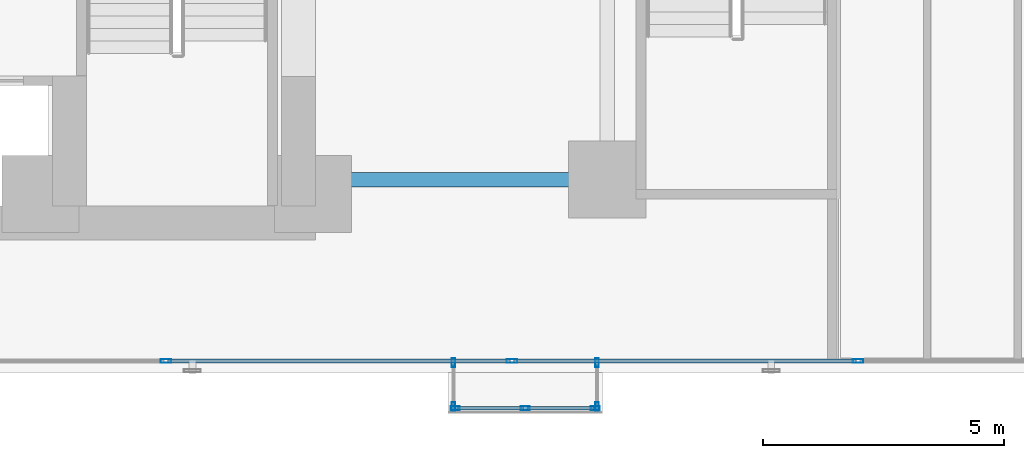
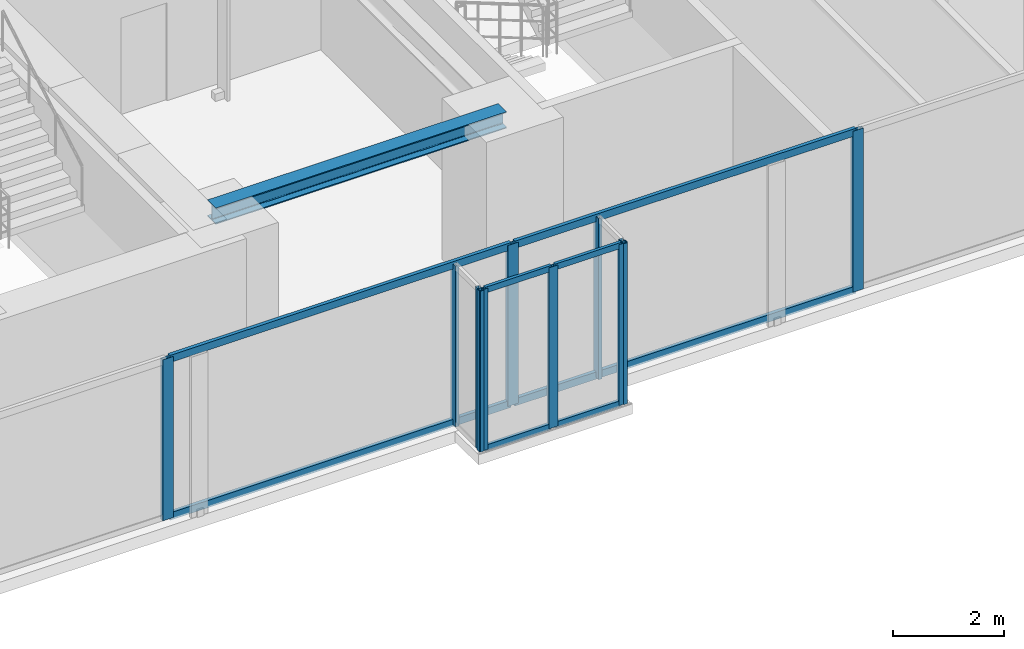
# One storey, part 4 of 28: 18 members, 1 beam, 4 elements without a shape of their own.
"""IFC4 building model written with IfcOpenShell, lengths in metres."""

from ifc_helpers import new_model, si_unit, direction, frame, origin, origin_with_axes, origin_2d, place, context, subcontext, project, spatial, hollow_rectangle, i_section, extrude, source, transform, mapped, material, layer, layer_set, material_profile, profile_set, type_object, element, aggregate, save


model = new_model("IFC4")

# Units and contexts
model_context = context("Model", 3, precision=1e-05, world=origin(), true_north=direction((0.0, 1.0)))
body_context = subcontext(model_context, "Body", "Model", "MODEL_VIEW")
ifc_project = project(units=[si_unit("LENGTHUNIT", "METRE"), si_unit("AREAUNIT", "SQUARE_METRE"), si_unit("VOLUMEUNIT", "CUBIC_METRE"), si_unit("PLANEANGLEUNIT", "RADIAN"), si_unit("MASSUNIT", "GRAM", prefix="KILO")], contexts=[model_context])

# Site, building, storey
site_placement = place(None, origin())
site = spatial("IfcSite", under=ifc_project, at=site_placement, CompositionType="ELEMENT")
building_placement = place(site_placement, origin())
building = spatial("IfcBuilding", under=site, at=building_placement, Name="Kolvaren Waterfront Exchange", CompositionType="ELEMENT")
storey_placement = place(building_placement, frame((0.0, 0.0, 75.199951171875)))
storey = spatial("IfcBuildingStorey", under=building, at=storey_placement, Name="L19", CompositionType="ELEMENT", Elevation=75.199951171875)

# Beam
ifc_material_1 = material(Name="Steel S355", Category="steel")
ifc_material_profile_1 = material_profile(ifc_material_1, i_section(OverallWidth=0.300048828125, OverallDepth=0.360107421875, WebThickness=0.012451171875, FlangeThickness=0.0224609375, FilletRadius=0.027099609375, at=origin_2d()), Name="HEB360")
ifc_profile_set_1 = profile_set([ifc_material_profile_1], Name="Steel S355")
beam_type = type_object("IfcBeamType", Name="STR-BM-HEB360", PredefinedType="SPANDREL", material=ifc_profile_set_1)
beam_placement = place(storey_placement, frame((21.14990234375, 5.199951171875, 3.360107421875), z_axis=(1.0, 0.0, 0.0), x_axis=(0.0, 1.0, 0.0)))
element("IfcBeam", 1, at=beam_placement, inside=storey, type_object=beam_type, Name="L19 east-arm spandrel S1", PredefinedType="SPANDREL", context=body_context, shape_type="SweptSolid", body=[
    extrude(i_section(OverallWidth=0.300048828125, OverallDepth=0.360107421875, WebThickness=0.012451171875, FlangeThickness=0.0224609375, FilletRadius=0.027099609375, at=origin_2d()), origin(), (0.0, 0.0, 1.0), 6.050048828125),
])

# Curtain wall, members
ifc_material_2 = material(Name="Anodised bronze aluminium 6063-T6", Category="aluminium")
ifc_layer_1 = layer(ifc_material_2, 0.219970703125, Name="Anodised bronze aluminium 6063-T6")
ifc_layer_set_1 = layer_set([ifc_layer_1], Name="Anodised bronze aluminium 6063-T6")
curtain_wall_type_1 = type_object("IfcCurtainWallType", Name="ARC-CW-SYS1", PredefinedType="USERDEFINED", material=ifc_layer_set_1)
curtain_wall_1_placement = place(storey_placement, origin())
curtain_wall_1 = element("IfcCurtainWall", 2, at=curtain_wall_1_placement, inside=storey, type_object=curtain_wall_type_1, Name="L19 stick curtain wall CW1 (CW-L19-S)", ObjectType="STICK CURTAIN WALL", PredefinedType="USERDEFINED")
ifc_material_3 = material(Name="Anodised aluminium 6063-T6", Category="aluminium")
ifc_material_profile_2 = material_profile(ifc_material_3, hollow_rectangle(XDim=0.074951171875, YDim=0.159912109375, WallThickness=0.00439453125, at=origin_2d()), Name="ALU-TRN-160x75x4.5")
ifc_profile_set_2 = profile_set([ifc_material_profile_2], Name="Anodised aluminium 6063-T6")
member_type_1 = type_object("IfcMemberType", Name="ARC-CWT-160", PredefinedType="USERDEFINED", material=ifc_profile_set_2)
shared_shape_1 = source(origin_with_axes(), body_context, "Body", "SweptSolid", [
    extrude(hollow_rectangle(XDim=0.074951171875, YDim=0.159912109375, WallThickness=0.00439453125, at=origin_2d()), origin(), (0.0, 0.0, 1.0), 7.094970703125),
])
member_1_placement = place(storey_placement, frame((18.090087890625, 1.43994140625, 0.03759765625), z_axis=(1.0, 0.0, 0.0), x_axis=(0.0, 1.0, 0.0)))
member_1 = element("IfcMember", 3, at=member_1_placement, type_object=member_type_1, Name="CW1 transom 3.1", ObjectType="TRANSOM", PredefinedType="USERDEFINED", context=body_context, shape_type="MappedRepresentation", body=[
    mapped(shared_shape_1, transform((0.0, 0.0, 0.0), x_axis=(1.0, 0.0, 0.0), y_axis=(0.0, 1.0, 0.0), z_axis=(0.0, 0.0, 1.0), scale=1.0)),
])
member_2_placement = place(storey_placement, frame((18.090087890625, 1.43994140625, 3.50244140625), z_axis=(1.0, 0.0, 0.0), x_axis=(0.0, 1.0, 0.0)))
member_2 = element("IfcMember", 4, at=member_2_placement, type_object=member_type_1, Name="CW1 transom 3.2", ObjectType="TRANSOM", PredefinedType="USERDEFINED", context=body_context, shape_type="MappedRepresentation", body=[
    mapped(shared_shape_1, transform((0.0, 0.0, 0.0), x_axis=(1.0, 0.0, 0.0), y_axis=(0.0, 1.0, 0.0), z_axis=(0.0, 0.0, 1.0), scale=1.0)),
])
shared_shape_2 = source(origin_with_axes(), body_context, "Body", "SweptSolid", [
    extrude(hollow_rectangle(XDim=0.074951171875, YDim=0.159912109375, WallThickness=0.00439453125, at=origin_2d()), origin(), (0.0, 0.0, 1.0), 7.09521484375),
])
member_3_placement = place(storey_placement, frame((25.264892578125, 1.43994140625, 0.03759765625), z_axis=(1.0, 0.0, 0.0), x_axis=(0.0, 1.0, 0.0)))
member_3 = element("IfcMember", 5, at=member_3_placement, type_object=member_type_1, Name="CW1 transom 4.1", ObjectType="TRANSOM", PredefinedType="USERDEFINED", context=body_context, shape_type="MappedRepresentation", body=[
    mapped(shared_shape_2, transform((0.0, 0.0, 0.0), x_axis=(1.0, 0.0, 0.0), y_axis=(0.0, 1.0, 0.0), z_axis=(0.0, 0.0, 1.0), scale=1.0)),
])
member_4_placement = place(storey_placement, frame((25.264892578125, 1.43994140625, 3.50244140625), z_axis=(1.0, 0.0, 0.0), x_axis=(0.0, 1.0, 0.0)))
member_4 = element("IfcMember", 6, at=member_4_placement, type_object=member_type_1, Name="CW1 transom 4.2", ObjectType="TRANSOM", PredefinedType="USERDEFINED", context=body_context, shape_type="MappedRepresentation", body=[
    mapped(shared_shape_2, transform((0.0, 0.0, 0.0), x_axis=(1.0, 0.0, 0.0), y_axis=(0.0, 1.0, 0.0), z_axis=(0.0, 0.0, 1.0), scale=1.0)),
])

ifc_layer_2 = layer(ifc_material_2, 0.219970703125, Name="Anodised bronze aluminium 6063-T6")
ifc_layer_set_2 = layer_set([ifc_layer_2], Name="Anodised bronze aluminium 6063-T6")
curtain_wall_type_2 = type_object("IfcCurtainWallType", Name="ARC-CW-SYS3", PredefinedType="USERDEFINED", material=ifc_layer_set_2)
curtain_wall_2_placement = place(storey_placement, origin())
curtain_wall_2 = element("IfcCurtainWall", 7, at=curtain_wall_2_placement, inside=storey, type_object=curtain_wall_type_2, Name="L19 stick curtain wall CW3 (CW-L19-BOX-W)", ObjectType="STICK CURTAIN WALL", PredefinedType="USERDEFINED")
ifc_material_profile_3 = material_profile(ifc_material_2, hollow_rectangle(XDim=0.074951171875, YDim=0.179931640625, WallThickness=0.00439453125, at=origin_2d()), Name="ALU-MUL-180x75x4.5")
ifc_profile_set_3 = profile_set([ifc_material_profile_3], Name="Anodised bronze aluminium 6063-T6")
member_type_2 = type_object("IfcMemberType", Name="ARC-CWM-180", PredefinedType="MULLION", material=ifc_profile_set_3)
shared_shape_3 = source(origin_with_axes(), body_context, "Body", "SweptSolid", [
    extrude(hollow_rectangle(XDim=0.074951171875, YDim=0.179931640625, WallThickness=0.00439453125, at=origin_2d()), origin(), (0.0, 0.0, 1.0), 3.5400390625),
])
member_5_placement = place(storey_placement, frame((24.010009765625, 1.402587890625, 0.0), z_axis=(0.0, 0.0, 1.0), x_axis=(1.0, 0.0, 0.0)))
member_5 = element("IfcMember", 8, at=member_5_placement, type_object=member_type_2, Name="CW3 mullion 1", PredefinedType="MULLION", context=body_context, shape_type="MappedRepresentation", body=[
    mapped(shared_shape_3, transform((0.0, 0.0, 0.0), x_axis=(1.0, 0.0, 0.0), y_axis=(0.0, 1.0, 0.0), z_axis=(0.0, 0.0, 1.0), scale=1.0)),
])
member_6_placement = place(storey_placement, frame((24.010009765625, 0.49755859375, 0.0), z_axis=(0.0, 0.0, 1.0), x_axis=(1.0, 0.0, 0.0)))
member_6 = element("IfcMember", 9, at=member_6_placement, type_object=member_type_2, Name="CW3 mullion 2", PredefinedType="MULLION", context=body_context, shape_type="MappedRepresentation", body=[
    mapped(shared_shape_3, transform((0.0, 0.0, 0.0), x_axis=(1.0, 0.0, 0.0), y_axis=(0.0, 1.0, 0.0), z_axis=(0.0, 0.0, 1.0), scale=1.0)),
])
aggregate(curtain_wall_2, [member_5, member_6])

curtain_wall_3_placement = place(storey_placement, origin())
curtain_wall_3 = element("IfcCurtainWall", 10, at=curtain_wall_3_placement, inside=storey, type_object=curtain_wall_type_2, Name="L19 stick curtain wall CW3 (CW-L19-BOX)", ObjectType="STICK CURTAIN WALL", PredefinedType="USERDEFINED")
member_7_placement = place(storey_placement, frame((24.047607421875, 0.4599609375, 0.0), z_axis=(0.0, 0.0, 1.0), x_axis=(0.0, 1.0, 0.0)))
member_7 = element("IfcMember", 11, at=member_7_placement, type_object=member_type_2, Name="CW3 mullion 1", PredefinedType="MULLION", context=body_context, shape_type="MappedRepresentation", body=[
    mapped(shared_shape_3, transform((0.0, 0.0, 0.0), x_axis=(1.0, 0.0, 0.0), y_axis=(0.0, 1.0, 0.0), z_axis=(0.0, 0.0, 1.0), scale=1.0)),
])
member_8_placement = place(storey_placement, frame((25.5, 0.4599609375, 0.0), z_axis=(0.0, 0.0, 1.0), x_axis=(0.0, 1.0, 0.0)))
member_8 = element("IfcMember", 12, at=member_8_placement, type_object=member_type_2, Name="CW3 mullion 2", PredefinedType="MULLION", context=body_context, shape_type="MappedRepresentation", body=[
    mapped(shared_shape_3, transform((0.0, 0.0, 0.0), x_axis=(1.0, 0.0, 0.0), y_axis=(0.0, 1.0, 0.0), z_axis=(0.0, 0.0, 1.0), scale=1.0)),
])
member_9_placement = place(storey_placement, frame((26.952392578125, 0.4599609375, 0.0), z_axis=(0.0, 0.0, 1.0), x_axis=(0.0, 1.0, 0.0)))
member_9 = element("IfcMember", 13, at=member_9_placement, type_object=member_type_2, Name="CW3 mullion 3", PredefinedType="MULLION", context=body_context, shape_type="MappedRepresentation", body=[
    mapped(shared_shape_3, transform((0.0, 0.0, 0.0), x_axis=(1.0, 0.0, 0.0), y_axis=(0.0, 1.0, 0.0), z_axis=(0.0, 0.0, 1.0), scale=1.0)),
])

curtain_wall_4_placement = place(storey_placement, origin())
curtain_wall_4 = element("IfcCurtainWall", 14, at=curtain_wall_4_placement, inside=storey, type_object=curtain_wall_type_2, Name="L19 stick curtain wall CW3 (CW-L19-BOX-E)", ObjectType="STICK CURTAIN WALL", PredefinedType="USERDEFINED")
member_10_placement = place(storey_placement, frame((26.989990234375, 0.49755859375, 0.0), z_axis=(0.0, 0.0, 1.0), x_axis=(-1.0, 0.0, 0.0)))
member_10 = element("IfcMember", 15, at=member_10_placement, type_object=member_type_2, Name="CW3 mullion 1", PredefinedType="MULLION", context=body_context, shape_type="MappedRepresentation", body=[
    mapped(shared_shape_3, transform((0.0, 0.0, 0.0), x_axis=(1.0, 0.0, 0.0), y_axis=(0.0, 1.0, 0.0), z_axis=(0.0, 0.0, 1.0), scale=1.0)),
])
member_11_placement = place(storey_placement, frame((26.989990234375, 1.402587890625, 0.0), z_axis=(0.0, 0.0, 1.0), x_axis=(-1.0, 0.0, 0.0)))
member_11 = element("IfcMember", 16, at=member_11_placement, type_object=member_type_2, Name="CW3 mullion 2", PredefinedType="MULLION", context=body_context, shape_type="MappedRepresentation", body=[
    mapped(shared_shape_3, transform((0.0, 0.0, 0.0), x_axis=(1.0, 0.0, 0.0), y_axis=(0.0, 1.0, 0.0), z_axis=(0.0, 0.0, 1.0), scale=1.0)),
])
aggregate(curtain_wall_4, [member_10, member_11])

# Member
ifc_material_profile_4 = material_profile(ifc_material_2, hollow_rectangle(XDim=0.06494140625, YDim=0.1298828125, WallThickness=0.00390625, at=origin_2d()), Name="ALU-TRN-130x65x4")
ifc_profile_set_4 = profile_set([ifc_material_profile_4], Name="Anodised bronze aluminium 6063-T6")
member_type_3 = type_object("IfcMemberType", Name="ARC-CWT-130", PredefinedType="USERDEFINED", material=ifc_profile_set_4)
shared_shape_4 = source(origin_with_axes(), body_context, "Body", "SweptSolid", [
    extrude(hollow_rectangle(XDim=0.06494140625, YDim=0.1298828125, WallThickness=0.00390625, at=origin_2d()), origin(), (0.0, 0.0, 1.0), 1.37744140625),
])
member_12_placement = place(storey_placement, frame((24.0849609375, 0.4599609375, 0.032470703125), z_axis=(1.0, 0.0, 0.0), x_axis=(0.0, 1.0, 0.0)))
member_12 = element("IfcMember", 17, at=member_12_placement, type_object=member_type_3, Name="CW3 transom 1.1", ObjectType="TRANSOM", PredefinedType="USERDEFINED", context=body_context, shape_type="MappedRepresentation", body=[
    mapped(shared_shape_4, transform((0.0, 0.0, 0.0), x_axis=(1.0, 0.0, 0.0), y_axis=(0.0, 1.0, 0.0), z_axis=(0.0, 0.0, 1.0), scale=1.0)),
])

member_13_placement = place(storey_placement, frame((24.0849609375, 0.4599609375, 3.507568359375), z_axis=(1.0, 0.0, 0.0), x_axis=(0.0, 1.0, 0.0)))
member_13 = element("IfcMember", 18, at=member_13_placement, type_object=member_type_3, Name="CW3 transom 1.2", ObjectType="TRANSOM", PredefinedType="USERDEFINED", context=body_context, shape_type="MappedRepresentation", body=[
    mapped(shared_shape_4, transform((0.0, 0.0, 0.0), x_axis=(1.0, 0.0, 0.0), y_axis=(0.0, 1.0, 0.0), z_axis=(0.0, 0.0, 1.0), scale=1.0)),
])

member_14_placement = place(storey_placement, frame((25.53759765625, 0.4599609375, 0.032470703125), z_axis=(1.0, 0.0, 0.0), x_axis=(0.0, 1.0, 0.0)))
member_14 = element("IfcMember", 19, at=member_14_placement, type_object=member_type_3, Name="CW3 transom 2.1", ObjectType="TRANSOM", PredefinedType="USERDEFINED", context=body_context, shape_type="MappedRepresentation", body=[
    mapped(shared_shape_4, transform((0.0, 0.0, 0.0), x_axis=(1.0, 0.0, 0.0), y_axis=(0.0, 1.0, 0.0), z_axis=(0.0, 0.0, 1.0), scale=1.0)),
])

member_15_placement = place(storey_placement, frame((25.53759765625, 0.4599609375, 3.507568359375), z_axis=(1.0, 0.0, 0.0), x_axis=(0.0, 1.0, 0.0)))
member_15 = element("IfcMember", 20, at=member_15_placement, type_object=member_type_3, Name="CW3 transom 2.2", ObjectType="TRANSOM", PredefinedType="USERDEFINED", context=body_context, shape_type="MappedRepresentation", body=[
    mapped(shared_shape_4, transform((0.0, 0.0, 0.0), x_axis=(1.0, 0.0, 0.0), y_axis=(0.0, 1.0, 0.0), z_axis=(0.0, 0.0, 1.0), scale=1.0)),
])

aggregate(curtain_wall_3, [member_7, member_8, member_9, member_12, member_13, member_14, member_15])

ifc_material_profile_5 = material_profile(ifc_material_3, hollow_rectangle(XDim=0.080078125, YDim=0.219970703125, WallThickness=0.0048828125, at=origin_2d()), Name="ALU-MUL-220x80x5")
ifc_profile_set_5 = profile_set([ifc_material_profile_5], Name="Anodised aluminium 6063-T6")
member_type_4 = type_object("IfcMemberType", Name="ARC-CWM-220", PredefinedType="MULLION", material=ifc_profile_set_5)
shared_shape_5 = source(origin_with_axes(), body_context, "Body", "SweptSolid", [
    extrude(hollow_rectangle(XDim=0.080078125, YDim=0.219970703125, WallThickness=0.0048828125, at=origin_2d()), origin(), (0.0, 0.0, 1.0), 3.5400390625),
])
member_16_placement = place(storey_placement, frame((18.050048828125, 1.43994140625, 0.0), z_axis=(0.0, 0.0, 1.0), x_axis=(0.0, 1.0, 0.0)))
member_16 = element("IfcMember", 21, at=member_16_placement, type_object=member_type_4, Name="CW1 mullion 3", PredefinedType="MULLION", context=body_context, shape_type="MappedRepresentation", body=[
    mapped(shared_shape_5, transform((0.0, 0.0, 0.0), x_axis=(1.0, 0.0, 0.0), y_axis=(0.0, 1.0, 0.0), z_axis=(0.0, 0.0, 1.0), scale=1.0)),
])

member_17_placement = place(storey_placement, frame((25.22509765625, 1.43994140625, 0.0), z_axis=(0.0, 0.0, 1.0), x_axis=(0.0, 1.0, 0.0)))
member_17 = element("IfcMember", 22, at=member_17_placement, type_object=member_type_4, Name="CW1 mullion 4", PredefinedType="MULLION", context=body_context, shape_type="MappedRepresentation", body=[
    mapped(shared_shape_5, transform((0.0, 0.0, 0.0), x_axis=(1.0, 0.0, 0.0), y_axis=(0.0, 1.0, 0.0), z_axis=(0.0, 0.0, 1.0), scale=1.0)),
])

member_18_placement = place(storey_placement, frame((32.39990234375, 1.43994140625, 0.0), z_axis=(0.0, 0.0, 1.0), x_axis=(0.0, 1.0, 0.0)))
member_18 = element("IfcMember", 23, at=member_18_placement, type_object=member_type_4, Name="CW1 mullion 5", PredefinedType="MULLION", context=body_context, shape_type="MappedRepresentation", body=[
    mapped(shared_shape_5, transform((0.0, 0.0, 0.0), x_axis=(1.0, 0.0, 0.0), y_axis=(0.0, 1.0, 0.0), z_axis=(0.0, 0.0, 1.0), scale=1.0)),
])

aggregate(curtain_wall_1, [member_16, member_17, member_18, member_1, member_2, member_3, member_4])

save(model, "model.ifc")
